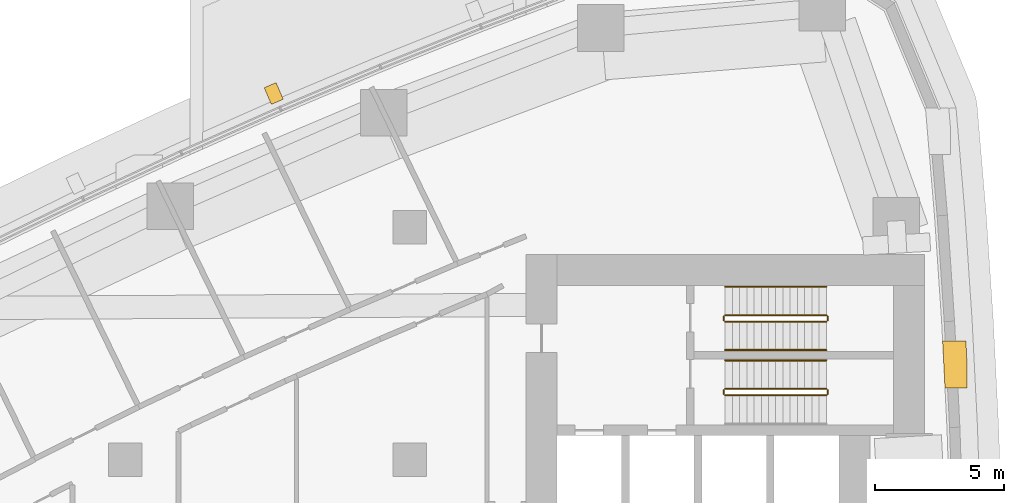
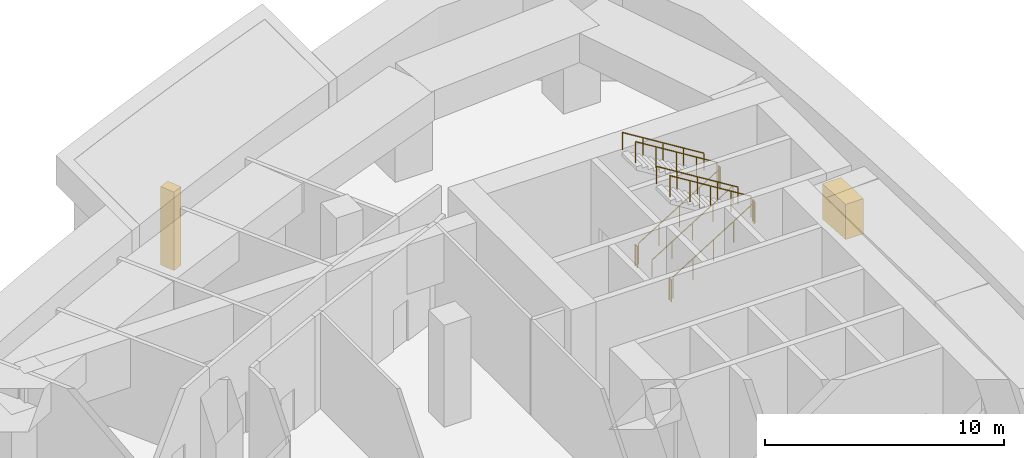
# One storey, part 16 of 17: 11 railings, 2 coverings.
"""IFC4 building model written with IfcOpenShell, lengths in metres."""

from ifc_helpers import new_model, si_unit, direction, frame, frame_2d, origin, origin_2d, place, context, subcontext, project, spatial, polyline, rectangle, circle, outline, extrude, material, layer, layer_set, type_object, element, save


model = new_model("IFC4")

# Units and contexts
model_context = context("Model", 3, precision=1e-05, world=origin(), true_north=direction((0.0, 1.0)))
body_context = subcontext(model_context, "Body", "Model", "MODEL_VIEW")
ifc_project = project(units=[si_unit("LENGTHUNIT", "METRE"), si_unit("AREAUNIT", "SQUARE_METRE"), si_unit("VOLUMEUNIT", "CUBIC_METRE"), si_unit("PLANEANGLEUNIT", "RADIAN"), si_unit("MASSUNIT", "GRAM", prefix="KILO")], contexts=[model_context])

# Site, building, storey
site_placement = place(None, origin())
site = spatial("IfcSite", under=ifc_project, at=site_placement, CompositionType="ELEMENT")
building_placement = place(site_placement, origin())
building = spatial("IfcBuilding", under=site, at=building_placement, Name="Ostrand Prow Hotel Tower", CompositionType="ELEMENT")
storey_placement = place(building_placement, frame((0.0, 0.0, 75.10009765625)))
storey = spatial("IfcBuildingStorey", under=building, at=storey_placement, Name="L17", CompositionType="ELEMENT", Elevation=75.10009765625)

# Coverings
ifc_material_1 = material(Name="Limestone cladding", Category="masonry")
ifc_layer_1 = layer(ifc_material_1, 2.0)
ifc_layer_set_1 = layer_set([ifc_layer_1], Name="Limestone cladding")
covering_type_1 = type_object("IfcCoveringType", Name="Belt lip limestone", PredefinedType="CLADDING", material=ifc_layer_set_1)
covering_1_placement = place(storey_placement, origin())
element("IfcCovering", 1, at=covering_1_placement, inside=storey, type_object=covering_type_1, Name="Belt fin 13 L17", PredefinedType="CLADDING", context=body_context, shape_type="SweptSolid", body=[
    extrude(outline(polyline([(66.56201171875, 12.714111328125), (66.517578125, 13.591552734375), (65.61669921875, 13.591552734375), (65.707275390625, 11.79150390625), (66.56201171875, 11.79150390625), (66.56201171875, 12.714111328125)])), origin(), (0.0, 0.0, 1.0), 1.7998046875),
])
ifc_material_2 = material(Name="Limestone cladding", Category="masonry")
ifc_layer_2 = layer(ifc_material_2, 0.5)
ifc_layer_set_2 = layer_set([ifc_layer_2], Name="Limestone cladding")
covering_type_2 = type_object("IfcCoveringType", Name="Precast stone fin 500x600", PredefinedType="CLADDING", material=ifc_layer_set_2)
covering_2_placement = place(storey_placement, frame((39.876220703125, 22.854248046875, 0.89990234375), z_axis=(0.0, 0.0, 1.0), x_axis=(-0.397284388642, 0.917695545669, 0.0)))
element("IfcCovering", 2, at=covering_2_placement, inside=storey, type_object=covering_type_2, Name="Stone fin N 4", PredefinedType="CLADDING", context=body_context, shape_type="SweptSolid", body=[
    extrude(rectangle(XDim=0.699951171875, YDim=0.5, at=frame_2d((0.35009765625, 0.0))), origin(), (0.0, 0.0, 1.0), 4.0),
])

# Railings
ifc_material_3 = material(Name="Painted steel", Category="steel")
railing_type_1 = type_object("IfcRailingType", Name="Stair guard 1100", PredefinedType="GUARDRAIL", material=ifc_material_3)
railing_1_placement = place(storey_placement, frame((57.199951171875, 11.5, 0.17333984375)))
element("IfcRailing", 3, at=railing_1_placement, inside=storey, type_object=railing_type_1, Name="L17 ST1C stair guard 1", PredefinedType="GUARDRAIL", context=body_context, shape_type="SweptSolid", body=[
    extrude(circle(Radius=0.02392578125, at=origin_2d()), frame((0.0, 0.0, 1.076171875), z_axis=(0.850289973577, 0.0, 0.526314507528), x_axis=(0.0, 1.0, 0.0)), (0.0, 0.0, 1.0), 4.6103515625),
    extrude(circle(Radius=0.02099609375, at=origin_2d()), origin(), (0.0, 0.0, 1.0), 1.052001953125),
    extrude(circle(Radius=0.02099609375, at=origin_2d()), frame((0.97998046875, 0.0, 0.606689453125)), (0.0, 0.0, 1.0), 1.052001953125),
    extrude(circle(Radius=0.02099609375, at=origin_2d()), frame((1.9599609375, 0.0, 1.21337890625)), (0.0, 0.0, 1.0), 1.052001953125),
    extrude(circle(Radius=0.02099609375, at=origin_2d()), frame((2.940185546875, 0.0, 1.81982421875)), (0.0, 0.0, 1.0), 1.052001953125),
    extrude(circle(Radius=0.02099609375, at=origin_2d()), frame((3.920166015625, 0.0, 2.426513671875)), (0.0, 0.0, 1.0), 1.052001953125),
])
railing_2_placement = place(storey_placement, frame((61.169921875, 11.550048828125, 2.599853515625)))
element("IfcRailing", 4, at=railing_2_placement, inside=storey, type_object=railing_type_1, Name="L17 ST1C stair guard 2", PredefinedType="GUARDRAIL", context=body_context, shape_type="SweptSolid", body=[
    extrude(circle(Radius=0.02392578125, at=origin_2d()), frame((0.0, 0.0, 1.076171875), z_axis=(0.0, 1.0, 0.0), x_axis=(-1.0, 0.0, 0.0)), (0.0, 0.0, 1.0), 0.14990234375),
    extrude(circle(Radius=0.02099609375, at=origin_2d()), origin(), (0.0, 0.0, 1.0), 1.052001953125),
    extrude(circle(Radius=0.02099609375, at=origin_2d()), frame((0.0, 0.14990234375, 0.0)), (0.0, 0.0, 1.0), 1.052001953125),
])
railing_3_placement = place(storey_placement, frame((61.1201171875, 11.75, 2.773193359375)))
element("IfcRailing", 5, at=railing_3_placement, inside=storey, type_object=railing_type_1, Name="L17 ST1C stair guard 3", PredefinedType="GUARDRAIL", context=body_context, shape_type="SweptSolid", body=[
    extrude(circle(Radius=0.02392578125, at=origin_2d()), frame((0.0, 0.0, 1.076171875), z_axis=(-0.850266275192, 0.0, 0.526352791643), x_axis=(0.0, -1.0, 0.0)), (0.0, 0.0, 1.0), 4.610595703125),
    extrude(circle(Radius=0.02099609375, at=origin_2d()), origin(), (0.0, 0.0, 1.0), 1.052001953125),
    extrude(circle(Radius=0.02099609375, at=origin_2d()), frame((-0.97998046875, 0.0, 0.606689453125)), (0.0, 0.0, 1.0), 1.052001953125),
    extrude(circle(Radius=0.02099609375, at=origin_2d()), frame((-1.9599609375, 0.0, 1.21337890625)), (0.0, 0.0, 1.0), 1.052001953125),
    extrude(circle(Radius=0.02099609375, at=origin_2d()), frame((-2.940185546875, 0.0, 1.820068359375)), (0.0, 0.0, 1.0), 1.052001953125),
    extrude(circle(Radius=0.02099609375, at=origin_2d()), frame((-3.920166015625, 0.0, 2.4267578125)), (0.0, 0.0, 1.0), 1.052001953125),
])
railing_4_placement = place(storey_placement, frame((57.14990234375, 11.550048828125, 0.0)))
element("IfcRailing", 6, at=railing_4_placement, inside=storey, type_object=railing_type_1, Name="L17 ST1C stair guard 4", PredefinedType="GUARDRAIL", context=body_context, shape_type="SweptSolid", body=[
    extrude(circle(Radius=0.02392578125, at=origin_2d()), frame((0.0, 0.0, 1.076171875), z_axis=(0.0, 1.0, 0.0), x_axis=(-1.0, 0.0, 0.0)), (0.0, 0.0, 1.0), 0.14990234375),
    extrude(circle(Radius=0.02099609375, at=origin_2d()), origin(), (0.0, 0.0, 1.0), 1.052001953125),
    extrude(circle(Radius=0.02099609375, at=origin_2d()), frame((0.0, 0.14990234375, 0.0)), (0.0, 0.0, 1.0), 1.052001953125),
])
railing_5_placement = place(storey_placement, frame((57.199951171875, 14.35009765625, 0.17333984375)))
element("IfcRailing", 7, at=railing_5_placement, inside=storey, type_object=railing_type_1, Name="L17 ST3C stair guard 1", PredefinedType="GUARDRAIL", context=body_context, shape_type="SweptSolid", body=[
    extrude(circle(Radius=0.02392578125, at=origin_2d()), frame((0.0, 0.0, 1.076171875), z_axis=(0.850289973577, 0.0, 0.526314507528), x_axis=(0.0, 1.0, 0.0)), (0.0, 0.0, 1.0), 4.6103515625),
    extrude(circle(Radius=0.02099609375, at=origin_2d()), origin(), (0.0, 0.0, 1.0), 1.052001953125),
    extrude(circle(Radius=0.02099609375, at=origin_2d()), frame((0.97998046875, 0.0, 0.606689453125)), (0.0, 0.0, 1.0), 1.052001953125),
    extrude(circle(Radius=0.02099609375, at=origin_2d()), frame((1.9599609375, 0.0, 1.21337890625)), (0.0, 0.0, 1.0), 1.052001953125),
    extrude(circle(Radius=0.02099609375, at=origin_2d()), frame((2.940185546875, 0.0, 1.81982421875)), (0.0, 0.0, 1.0), 1.052001953125),
    extrude(circle(Radius=0.02099609375, at=origin_2d()), frame((3.920166015625, 0.0, 2.426513671875)), (0.0, 0.0, 1.0), 1.052001953125),
])
railing_6_placement = place(storey_placement, frame((61.169921875, 14.39990234375, 2.599853515625)))
element("IfcRailing", 8, at=railing_6_placement, inside=storey, type_object=railing_type_1, Name="L17 ST3C stair guard 2", PredefinedType="GUARDRAIL", context=body_context, shape_type="SweptSolid", body=[
    extrude(circle(Radius=0.02392578125, at=origin_2d()), frame((0.0, 0.0, 1.076171875), z_axis=(0.0, 1.0, 0.0), x_axis=(-1.0, 0.0, 0.0)), (0.0, 0.0, 1.0), 0.150146484375),
    extrude(circle(Radius=0.02099609375, at=origin_2d()), origin(), (0.0, 0.0, 1.0), 1.052001953125),
    extrude(circle(Radius=0.02099609375, at=origin_2d()), frame((0.0, 0.150146484375, 0.0)), (0.0, 0.0, 1.0), 1.052001953125),
])
railing_7_placement = place(storey_placement, frame((61.1201171875, 14.60009765625, 2.773193359375)))
element("IfcRailing", 9, at=railing_7_placement, inside=storey, type_object=railing_type_1, Name="L17 ST3C stair guard 3", PredefinedType="GUARDRAIL", context=body_context, shape_type="SweptSolid", body=[
    extrude(circle(Radius=0.02392578125, at=origin_2d()), frame((0.0, 0.0, 1.076171875), z_axis=(-0.850266275192, 0.0, 0.526352791643), x_axis=(0.0, -1.0, 0.0)), (0.0, 0.0, 1.0), 4.610595703125),
    extrude(circle(Radius=0.02099609375, at=origin_2d()), origin(), (0.0, 0.0, 1.0), 1.052001953125),
    extrude(circle(Radius=0.02099609375, at=origin_2d()), frame((-0.97998046875, 0.0, 0.606689453125)), (0.0, 0.0, 1.0), 1.052001953125),
    extrude(circle(Radius=0.02099609375, at=origin_2d()), frame((-1.9599609375, 0.0, 1.21337890625)), (0.0, 0.0, 1.0), 1.052001953125),
    extrude(circle(Radius=0.02099609375, at=origin_2d()), frame((-2.940185546875, 0.0, 1.820068359375)), (0.0, 0.0, 1.0), 1.052001953125),
    extrude(circle(Radius=0.02099609375, at=origin_2d()), frame((-3.920166015625, 0.0, 2.4267578125)), (0.0, 0.0, 1.0), 1.052001953125),
])
railing_8_placement = place(storey_placement, frame((57.14990234375, 14.39990234375, 0.0)))
element("IfcRailing", 10, at=railing_8_placement, inside=storey, type_object=railing_type_1, Name="L17 ST3C stair guard 4", PredefinedType="GUARDRAIL", context=body_context, shape_type="SweptSolid", body=[
    extrude(circle(Radius=0.02392578125, at=origin_2d()), frame((0.0, 0.0, 1.076171875), z_axis=(0.0, 1.0, 0.0), x_axis=(-1.0, 0.0, 0.0)), (0.0, 0.0, 1.0), 0.150146484375),
    extrude(circle(Radius=0.02099609375, at=origin_2d()), origin(), (0.0, 0.0, 1.0), 1.052001953125),
    extrude(circle(Radius=0.02099609375, at=origin_2d()), frame((0.0, 0.150146484375, 0.0)), (0.0, 0.0, 1.0), 1.052001953125),
])
ifc_material_4 = material(Name="Stainless steel", Category="steel")
railing_type_2 = type_object("IfcRailingType", Name="Stair handrail 900", PredefinedType="HANDRAIL", material=ifc_material_4)
railing_9_placement = place(storey_placement, frame((61.1201171875, 12.85009765625, 2.773193359375)))
element("IfcRailing", 11, at=railing_9_placement, inside=storey, type_object=railing_type_2, Name="L17 ST1C stair handrail 2", PredefinedType="HANDRAIL", context=body_context, shape_type="SweptSolid", body=[
    extrude(circle(Radius=0.02392578125, at=origin_2d()), frame((0.0, 0.0, 0.8759765625), z_axis=(-0.850266275192, 0.0, 0.526352791643), x_axis=(0.0, -1.0, 0.0)), (0.0, 0.0, 1.0), 4.610595703125),
    extrude(circle(Radius=0.02099609375, at=origin_2d()), origin(), (0.0, 0.0, 1.0), 0.851806640625),
    extrude(circle(Radius=0.02099609375, at=origin_2d()), frame((-0.97998046875, 0.0, 0.606689453125)), (0.0, 0.0, 1.0), 0.851806640625),
    extrude(circle(Radius=0.02099609375, at=origin_2d()), frame((-1.9599609375, 0.0, 1.21337890625)), (0.0, 0.0, 1.0), 0.851806640625),
    extrude(circle(Radius=0.02099609375, at=origin_2d()), frame((-2.940185546875, 0.0, 1.820068359375)), (0.0, 0.0, 1.0), 0.851806640625),
    extrude(circle(Radius=0.02099609375, at=origin_2d()), frame((-3.920166015625, 0.0, 2.4267578125)), (0.0, 0.0, 1.0), 0.851806640625),
])
railing_10_placement = place(storey_placement, frame((57.199951171875, 13.25, 0.17333984375)))
element("IfcRailing", 12, at=railing_10_placement, inside=storey, type_object=railing_type_2, Name="L17 ST3C stair handrail 1", PredefinedType="HANDRAIL", context=body_context, shape_type="SweptSolid", body=[
    extrude(circle(Radius=0.02392578125, at=origin_2d()), frame((0.0, 0.0, 0.8759765625), z_axis=(0.850289973577, 0.0, 0.526314507528), x_axis=(0.0, 1.0, 0.0)), (0.0, 0.0, 1.0), 4.6103515625),
    extrude(circle(Radius=0.02099609375, at=origin_2d()), origin(), (0.0, 0.0, 1.0), 0.851806640625),
    extrude(circle(Radius=0.02099609375, at=origin_2d()), frame((0.97998046875, 0.0, 0.606689453125)), (0.0, 0.0, 1.0), 0.851806640625),
    extrude(circle(Radius=0.02099609375, at=origin_2d()), frame((1.9599609375, 0.0, 1.21337890625)), (0.0, 0.0, 1.0), 0.851806640625),
    extrude(circle(Radius=0.02099609375, at=origin_2d()), frame((2.940185546875, 0.0, 1.81982421875)), (0.0, 0.0, 1.0), 0.851806640625),
    extrude(circle(Radius=0.02099609375, at=origin_2d()), frame((3.920166015625, 0.0, 2.426513671875)), (0.0, 0.0, 1.0), 0.851806640625),
])
railing_11_placement = place(storey_placement, frame((61.1201171875, 15.699951171875, 2.773193359375)))
element("IfcRailing", 13, at=railing_11_placement, inside=storey, type_object=railing_type_2, Name="L17 ST3C stair handrail 2", PredefinedType="HANDRAIL", context=body_context, shape_type="SweptSolid", body=[
    extrude(circle(Radius=0.02392578125, at=origin_2d()), frame((0.0, 0.0, 0.8759765625), z_axis=(-0.850266275192, 0.0, 0.526352791643), x_axis=(0.0, -1.0, 0.0)), (0.0, 0.0, 1.0), 4.610595703125),
    extrude(circle(Radius=0.02099609375, at=origin_2d()), origin(), (0.0, 0.0, 1.0), 0.851806640625),
    extrude(circle(Radius=0.02099609375, at=origin_2d()), frame((-0.97998046875, 0.0, 0.606689453125)), (0.0, 0.0, 1.0), 0.851806640625),
    extrude(circle(Radius=0.02099609375, at=origin_2d()), frame((-1.9599609375, 0.0, 1.21337890625)), (0.0, 0.0, 1.0), 0.851806640625),
    extrude(circle(Radius=0.02099609375, at=origin_2d()), frame((-2.940185546875, 0.0, 1.820068359375)), (0.0, 0.0, 1.0), 0.851806640625),
    extrude(circle(Radius=0.02099609375, at=origin_2d()), frame((-3.920166015625, 0.0, 2.4267578125)), (0.0, 0.0, 1.0), 0.851806640625),
])

save(model, "model.ifc")
